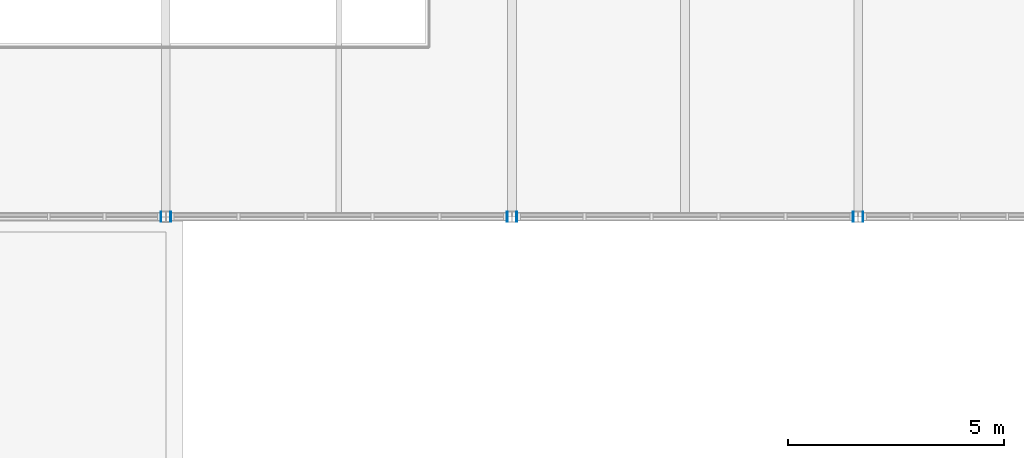
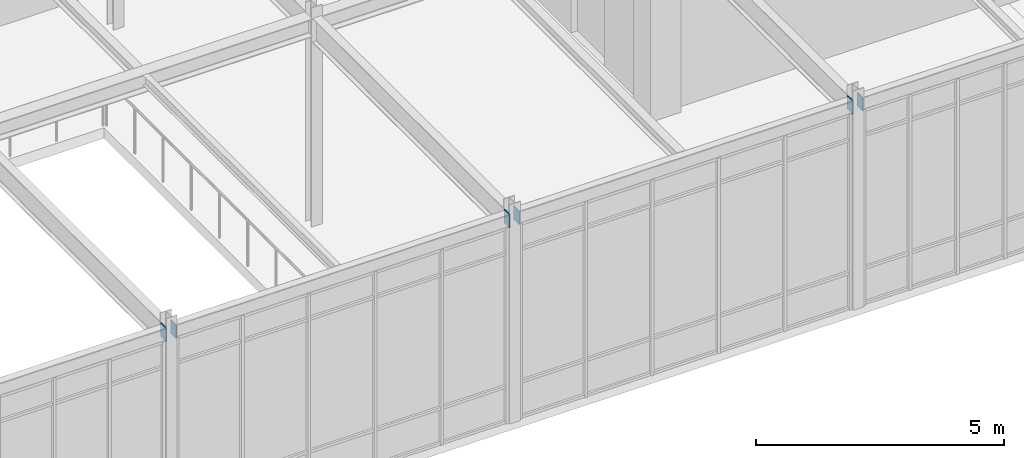
# One storey, part 123 of 184: 6 plates.
"""IFC4 building model written with IfcOpenShell, lengths in metres."""

from ifc_helpers import new_model, si_unit, direction, frame, origin, origin_2d, place, context, subcontext, project, spatial, rectangle, extrude, material, layer, layer_set, type_object, element, save


model = new_model("IFC4")

# Units and contexts
model_context = context("Model", 3, precision=1e-05, world=origin(), true_north=direction((0.0, 1.0)))
body_context = subcontext(model_context, "Body", "Model", "MODEL_VIEW")
ifc_project = project(units=[si_unit("LENGTHUNIT", "METRE"), si_unit("AREAUNIT", "SQUARE_METRE"), si_unit("VOLUMEUNIT", "CUBIC_METRE"), si_unit("PLANEANGLEUNIT", "RADIAN"), si_unit("MASSUNIT", "GRAM", prefix="KILO")], contexts=[model_context])

# Site, building, storey
site_placement = place(None, origin())
site = spatial("IfcSite", under=ifc_project, at=site_placement, CompositionType="ELEMENT")
building_placement = place(site_placement, origin())
building = spatial("IfcBuilding", under=site, at=building_placement, Name="Zhaolan Boulevard Law Courts", CompositionType="ELEMENT")
storey_placement = place(building_placement, frame((0.0, 0.0, 5.39990234375)))
storey = spatial("IfcBuildingStorey", under=building, at=storey_placement, Name="L01", CompositionType="ELEMENT", Elevation=5.39990234375)

# Plates
ifc_material = material(Name="Structural steel Q355B", Category="steel")
ifc_layer = layer(ifc_material, 0.02001953125)
ifc_layer_set = layer_set([ifc_layer])
plate_type = type_object("IfcPlateType", Name="END CAP PLATE 20", PredefinedType="SHEET", material=ifc_layer_set)
for number, where, z_axis, x_axis, name in (
    (1, (99.886962890625, 6.0, 4.822998046875), (0.0, 0.0, 1.0), (1.0, 0.0, 0.0), "Hollow Section End-Cap Plate ECP-0706"),
    (2, (100.113037109375, 6.0, 4.822998046875), (0.0, 0.0, 1.0), (1.0, 0.0, 0.0), "Hollow Section End-Cap Plate ECP-0707"),
    (3, (107.886962890625, 6.0, 4.822998046875), (0.0, 0.0, 1.0), (1.0, 0.0, 0.0), "Hollow Section End-Cap Plate ECP-0708"),
    (4, (108.113037109375, 6.0, 4.822998046875), (0.0, 0.0, 1.0), (1.0, 0.0, 0.0), "Hollow Section End-Cap Plate ECP-0709"),
    (5, (115.886962890625, 6.0, 4.822998046875), (0.0, 0.0, 1.0), (1.0, 0.0, 0.0), "Hollow Section End-Cap Plate ECP-0710"),
    (6, (116.113037109375, 6.0, 4.822998046875), (0.0, 0.0, 1.0), (1.0, 0.0, 0.0), "Hollow Section End-Cap Plate ECP-0711"),
):
    element("IfcPlate", number, at=place(storey_placement, frame(where, z_axis=z_axis, x_axis=x_axis)), inside=storey, type_object=plate_type, Name=name, PredefinedType="SHEET", context=body_context, shape_type="SweptSolid", body=[
        extrude(rectangle(XDim=0.02001953125, YDim=0.22998046875, at=origin_2d()), origin(), (0.0, 0.0, 1.0), 0.330078125),
    ])

save(model, "model.ifc")
